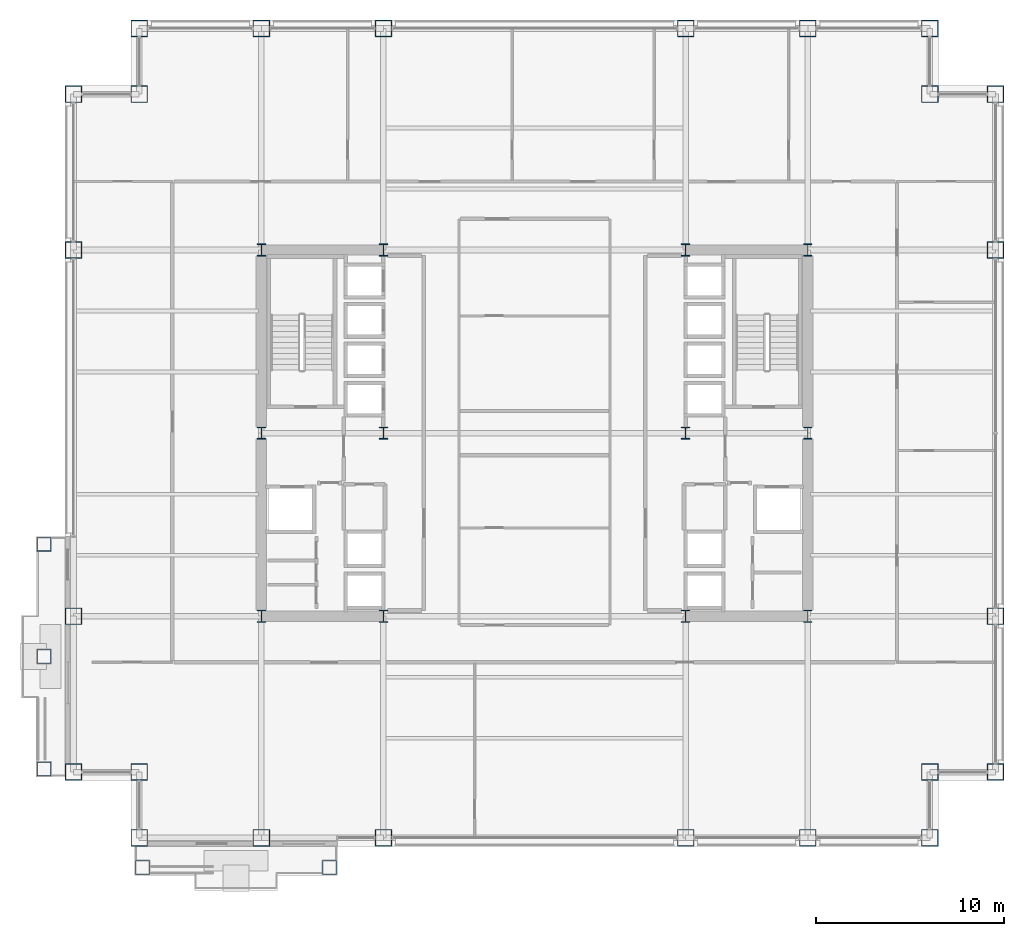
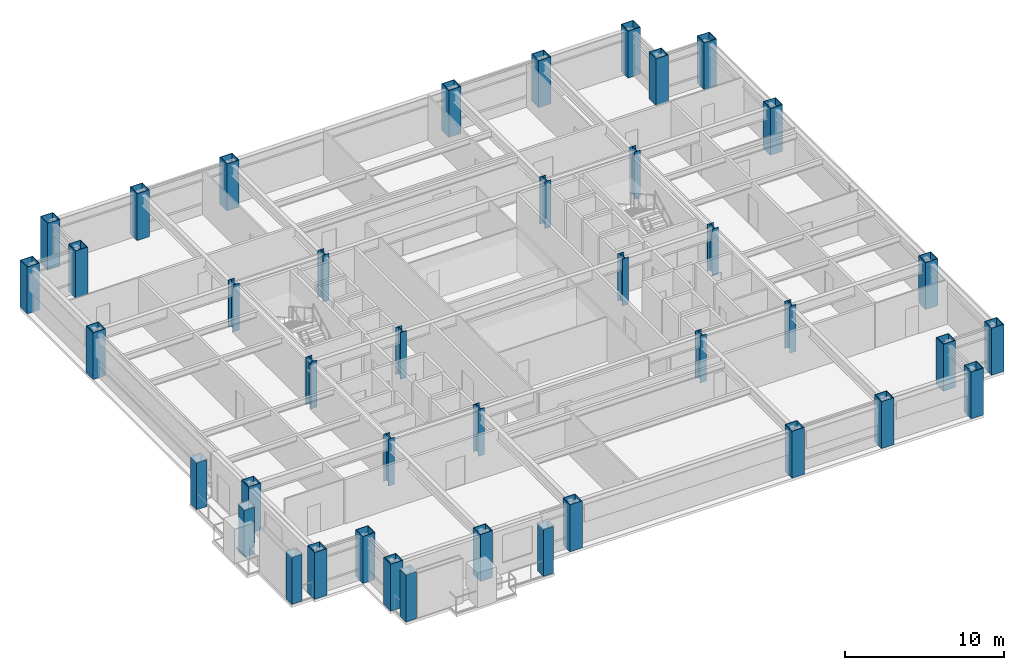
# One storey, part 1 of 28: 41 columns.
"""IFC4 building model written with IfcOpenShell, lengths in metres."""

from ifc_helpers import new_model, si_unit, direction, frame, origin, origin_2d, place, context, subcontext, project, spatial, hollow_rectangle, i_section, extrude, material, material_profile, profile_set, type_object, element, save


model = new_model("IFC4")

# Units and contexts
model_context = context("Model", 3, precision=1e-05, world=origin(), true_north=direction((0.0, 1.0)))
body_context = subcontext(model_context, "Body", "Model", "MODEL_VIEW")
ifc_project = project(units=[si_unit("LENGTHUNIT", "METRE"), si_unit("AREAUNIT", "SQUARE_METRE"), si_unit("VOLUMEUNIT", "CUBIC_METRE"), si_unit("PLANEANGLEUNIT", "RADIAN"), si_unit("MASSUNIT", "GRAM", prefix="KILO")], contexts=[model_context])

# Site, building, storey
site_placement = place(None, origin())
site = spatial("IfcSite", under=ifc_project, at=site_placement, CompositionType="ELEMENT")
building_placement = place(site_placement, origin())
building = spatial("IfcBuilding", under=site, at=building_placement, Name="Brelmoor Portico Tower", CompositionType="ELEMENT")
storey_placement = place(building_placement, frame((0.0, 0.0, 70.800048828125)))
storey = spatial("IfcBuildingStorey", under=building, at=storey_placement, Name="L18", CompositionType="ELEMENT", Elevation=70.800048828125)

# Columns
ifc_material = material(Name="Steel Q355B", Category="steel")
ifc_material_profile_1 = material_profile(ifc_material, hollow_rectangle(XDim=0.75, YDim=0.75, WallThickness=0.031982421875, at=origin_2d()), Name="BOX 750x750x32")
ifc_profile_set_1 = profile_set([ifc_material_profile_1], Name="Steel Q355B")
column_type_1 = type_object("IfcColumnType", Name="COL-MEGA-750", PredefinedType="COLUMN", material=ifc_profile_set_1)
for number, where, z_axis, x_axis, name in (
    (1, (-26.1298828125, -17.8798828125, 0.0), (0.0, 0.0, 1.0), (0.0, 1.0, 0.0), "L18 Proud Picture-Frame Pier PFJ-W1"),
    (2, (-26.1298828125, -5.919921875, 0.0), (0.0, 0.0, 1.0), (0.0, 1.0, 0.0), "L18 Proud Picture-Frame Pier PFJ-W2"),
    (3, (-26.1298828125, -11.89990234375, 0.0), (0.0, 0.0, 1.0), (0.0, 1.0, 0.0), "L18 Proud Picture-Frame Pier PFJ-W3"),
    (4, (-20.8798828125, -23.1298828125, 0.0), (0.0, 0.0, 1.0), (1.0, 0.0, 0.0), "L18 Proud Picture-Frame Pier PFJ-S1"),
    (5, (-10.919921875, -23.1298828125, 0.0), (0.0, 0.0, 1.0), (1.0, 0.0, 0.0), "L18 Proud Picture-Frame Pier PFJ-S2"),
):
    element("IfcColumn", number, at=place(storey_placement, frame(where, z_axis=z_axis, x_axis=x_axis)), inside=storey, type_object=column_type_1, Name=name, PredefinedType="COLUMN", context=body_context, shape_type="SweptSolid", body=[
        extrude(hollow_rectangle(XDim=0.75, YDim=0.75, WallThickness=0.031982421875, at=origin_2d()), origin(), (0.0, 0.0, 1.0), 3.599853515625),
    ])
ifc_material_profile_2 = material_profile(ifc_material, hollow_rectangle(XDim=0.89990234375, YDim=0.89990234375, WallThickness=0.044921875, at=origin_2d()), Name="BOX 900x900x45")
ifc_profile_set_2 = profile_set([ifc_material_profile_2], Name="Steel Q355B")
column_type_2 = type_object("IfcColumnType", Name="COL-MEGA-900", PredefinedType="COLUMN", material=ifc_profile_set_2)
for number, where, z_axis, x_axis, name in (
    (6, (-21.050048828125, -21.550048828125, 0.0), (0.0, 0.0, 1.0), (1.0, 0.0, 0.0), "L18 Perimeter Mega-Column PS01"),
    (7, (-14.550048828125, -21.550048828125, 0.0), (0.0, 0.0, 1.0), (1.0, 0.0, 0.0), "L18 Perimeter Mega-Column PS02"),
    (8, (-8.050048828125, -21.550048828125, 0.0), (0.0, 0.0, 1.0), (1.0, 0.0, 0.0), "L18 Perimeter Mega-Column PS03"),
    (9, (8.050048828125, -21.550048828125, 0.0), (0.0, 0.0, 1.0), (1.0, 0.0, 0.0), "L18 Perimeter Mega-Column PS04"),
    (10, (14.550048828125, -21.550048828125, 0.0), (0.0, 0.0, 1.0), (1.0, 0.0, 0.0), "L18 Perimeter Mega-Column PS05"),
    (11, (21.050048828125, -21.550048828125, 0.0), (0.0, 0.0, 1.0), (1.0, 0.0, 0.0), "L18 Perimeter Mega-Column PS06"),
    (12, (-21.050048828125, 21.550048828125, 0.0), (0.0, 0.0, 1.0), (1.0, 0.0, 0.0), "L18 Perimeter Mega-Column PN01"),
    (13, (-14.550048828125, 21.550048828125, 0.0), (0.0, 0.0, 1.0), (1.0, 0.0, 0.0), "L18 Perimeter Mega-Column PN02"),
    (14, (-8.050048828125, 21.550048828125, 0.0), (0.0, 0.0, 1.0), (1.0, 0.0, 0.0), "L18 Perimeter Mega-Column PN03"),
    (15, (8.050048828125, 21.550048828125, 0.0), (0.0, 0.0, 1.0), (1.0, 0.0, 0.0), "L18 Perimeter Mega-Column PN04"),
    (16, (14.550048828125, 21.550048828125, 0.0), (0.0, 0.0, 1.0), (1.0, 0.0, 0.0), "L18 Perimeter Mega-Column PN05"),
    (17, (21.050048828125, 21.550048828125, 0.0), (0.0, 0.0, 1.0), (1.0, 0.0, 0.0), "L18 Perimeter Mega-Column PN06"),
    (18, (-24.550048828125, -18.050048828125, 0.0), (0.0, 0.0, 1.0), (0.0, 1.0, 0.0), "L18 Perimeter Mega-Column PW01"),
    (19, (-24.550048828125, -9.75, 0.0), (0.0, 0.0, 1.0), (0.0, 1.0, 0.0), "L18 Perimeter Mega-Column PW02"),
    (20, (-24.550048828125, 9.75, 0.0), (0.0, 0.0, 1.0), (0.0, 1.0, 0.0), "L18 Perimeter Mega-Column PW03"),
    (21, (-24.550048828125, 18.050048828125, 0.0), (0.0, 0.0, 1.0), (0.0, 1.0, 0.0), "L18 Perimeter Mega-Column PW04"),
    (22, (24.550048828125, -18.050048828125, 0.0), (0.0, 0.0, 1.0), (0.0, 1.0, 0.0), "L18 Perimeter Mega-Column PE01"),
    (23, (24.550048828125, -9.75, 0.0), (0.0, 0.0, 1.0), (0.0, 1.0, 0.0), "L18 Perimeter Mega-Column PE02"),
    (24, (24.550048828125, 9.75, 0.0), (0.0, 0.0, 1.0), (0.0, 1.0, 0.0), "L18 Perimeter Mega-Column PE03"),
    (25, (24.550048828125, 18.050048828125, 0.0), (0.0, 0.0, 1.0), (0.0, 1.0, 0.0), "L18 Perimeter Mega-Column PE04"),
    (26, (-21.050048828125, 18.050048828125, 0.0), (0.0, 0.0, 1.0), (1.0, 0.0, 0.0), "L18 Perimeter Mega-Column PC-NW"),
    (27, (21.050048828125, 18.050048828125, 0.0), (0.0, 0.0, 1.0), (1.0, 0.0, 0.0), "L18 Perimeter Mega-Column PC-NE"),
    (28, (21.050048828125, -18.050048828125, 0.0), (0.0, 0.0, 1.0), (1.0, 0.0, 0.0), "L18 Perimeter Mega-Column PC-SE"),
    (29, (-21.050048828125, -18.050048828125, 0.0), (0.0, 0.0, 1.0), (1.0, 0.0, 0.0), "L18 Perimeter Mega-Column PC-SW"),
):
    element("IfcColumn", number, at=place(storey_placement, frame(where, z_axis=z_axis, x_axis=x_axis)), inside=storey, type_object=column_type_2, Name=name, PredefinedType="COLUMN", context=body_context, shape_type="SweptSolid", body=[
        extrude(hollow_rectangle(XDim=0.89990234375, YDim=0.89990234375, WallThickness=0.044921875, at=origin_2d()), origin(), (0.0, 0.0, 1.0), 3.599853515625),
    ])
ifc_material_profile_3 = material_profile(ifc_material, i_section(OverallWidth=0.449951171875, OverallDepth=0.64990234375, WebThickness=0.02490234375, FlangeThickness=0.0400390625, at=origin_2d()), Name="HW 650x450x25x40")
ifc_profile_set_3 = profile_set([ifc_material_profile_3], Name="Steel Q355B")
column_type_3 = type_object("IfcColumnType", Name="COL-SPINE-650", PredefinedType="COLUMN", material=ifc_profile_set_3)
for number, where, z_axis, x_axis, name in (
    (30, (-14.550048828125, -9.75, 0.0), (0.0, 0.0, 1.0), (1.0, 0.0, 0.0), "L18 Core Spine Column CW-SW"),
    (31, (-14.550048828125, 0.0, 0.0), (0.0, 0.0, 1.0), (1.0, 0.0, 0.0), "L18 Core Spine Column CW-MW"),
    (32, (-14.550048828125, 9.75, 0.0), (0.0, 0.0, 1.0), (1.0, 0.0, 0.0), "L18 Core Spine Column CW-NW"),
    (33, (-8.050048828125, -9.75, 0.0), (0.0, 0.0, 1.0), (1.0, 0.0, 0.0), "L18 Core Spine Column CW-SE"),
    (34, (-8.050048828125, 0.0, 0.0), (0.0, 0.0, 1.0), (1.0, 0.0, 0.0), "L18 Core Spine Column CW-ME"),
    (35, (-8.050048828125, 9.75, 0.0), (0.0, 0.0, 1.0), (1.0, 0.0, 0.0), "L18 Core Spine Column CW-NE"),
    (36, (8.050048828125, -9.75, 0.0), (0.0, 0.0, 1.0), (1.0, 0.0, 0.0), "L18 Core Spine Column CE-SW"),
    (37, (8.050048828125, 0.0, 0.0), (0.0, 0.0, 1.0), (1.0, 0.0, 0.0), "L18 Core Spine Column CE-MW"),
    (38, (8.050048828125, 9.75, 0.0), (0.0, 0.0, 1.0), (1.0, 0.0, 0.0), "L18 Core Spine Column CE-NW"),
    (39, (14.550048828125, -9.75, 0.0), (0.0, 0.0, 1.0), (1.0, 0.0, 0.0), "L18 Core Spine Column CE-SE"),
    (40, (14.550048828125, 0.0, 0.0), (0.0, 0.0, 1.0), (1.0, 0.0, 0.0), "L18 Core Spine Column CE-ME"),
    (41, (14.550048828125, 9.75, 0.0), (0.0, 0.0, 1.0), (1.0, 0.0, 0.0), "L18 Core Spine Column CE-NE"),
):
    element("IfcColumn", number, at=place(storey_placement, frame(where, z_axis=z_axis, x_axis=x_axis)), inside=storey, type_object=column_type_3, Name=name, PredefinedType="COLUMN", context=body_context, shape_type="SweptSolid", body=[
        extrude(i_section(OverallWidth=0.449951171875, OverallDepth=0.64990234375, WebThickness=0.02490234375, FlangeThickness=0.0400390625, at=origin_2d()), origin(), (0.0, 0.0, 1.0), 3.599853515625),
    ])

save(model, "model.ifc")
